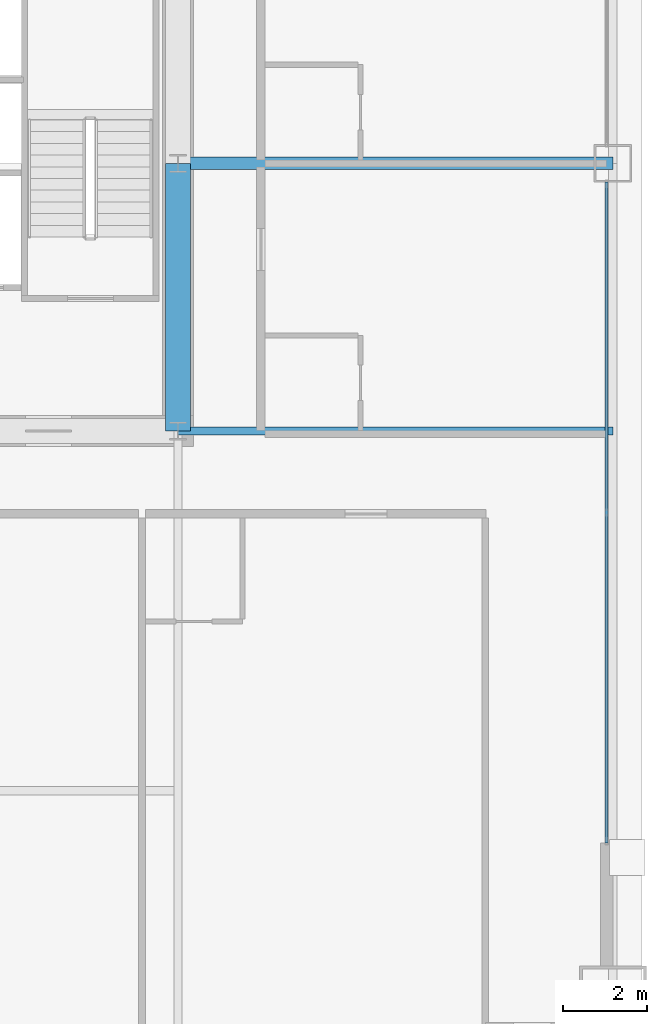
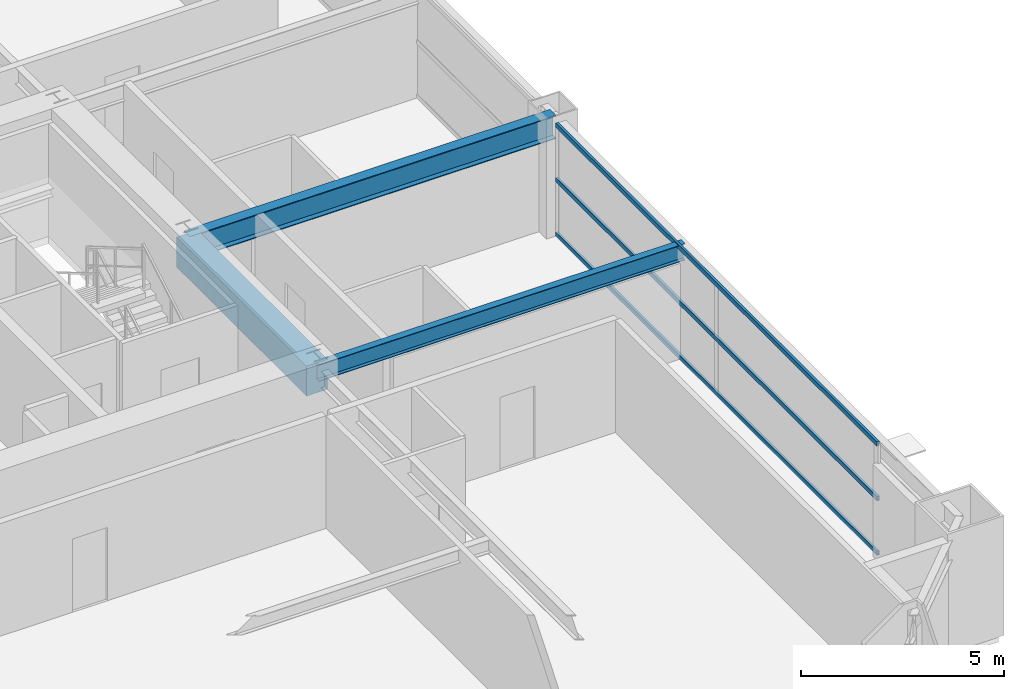
# One storey, part 18 of 38: 3 beams, 3 members, 1 element without a shape of its own.
"""IFC4 building model written with IfcOpenShell, lengths in metres."""

from ifc_helpers import new_model, si_unit, direction, frame, origin, origin_2d, place, context, subcontext, project, spatial, rectangle, hollow_rectangle, i_section, extrude, source, transform, mapped, material, layer, layer_set, material_profile, profile_set, type_object, element, aggregate, save


model = new_model("IFC4")

# Units and contexts
model_context = context("Model", 3, precision=1e-05, world=origin(), true_north=direction((0.0, 1.0)))
body_context = subcontext(model_context, "Body", "Model", "MODEL_VIEW")
ifc_project = project(units=[si_unit("LENGTHUNIT", "METRE"), si_unit("AREAUNIT", "SQUARE_METRE"), si_unit("VOLUMEUNIT", "CUBIC_METRE"), si_unit("PLANEANGLEUNIT", "RADIAN"), si_unit("MASSUNIT", "GRAM", prefix="KILO"), si_unit("THERMODYNAMICTEMPERATUREUNIT", "KELVIN"), si_unit("POWERUNIT", "WATT")], contexts=[model_context])

# Site, building, storey
site_placement = place(None, origin())
site = spatial("IfcSite", under=ifc_project, at=site_placement, CompositionType="ELEMENT")
building_placement = place(site_placement, origin())
building = spatial("IfcBuilding", under=site, at=building_placement, Name="Yuzanri Waterfront Tower", CompositionType="ELEMENT")
storey_placement = place(building_placement, frame((0.0, 0.0, 111.800048828125)))
storey = spatial("IfcBuildingStorey", under=building, at=storey_placement, Name="L29", CompositionType="ELEMENT", Elevation=111.800048828125)

# Beams
ifc_material_1 = material(Name="Concrete C60", Category="concrete")
ifc_material_profile_1 = material_profile(ifc_material_1, rectangle(XDim=0.60009765625, YDim=0.89990234375, at=origin_2d()), Name="RC 600x900")
ifc_profile_set_1 = profile_set([ifc_material_profile_1], Name="Concrete C60")
beam_type_1 = type_object("IfcBeamType", Name="Core Coupling Lintel Concrete C60 600x900", PredefinedType="LINTEL", material=ifc_profile_set_1)
shared_shape_1 = source(origin(), body_context, "Body", "SweptSolid", [
    extrude(rectangle(XDim=0.60009765625, YDim=0.89990234375, at=origin_2d()), origin(), (0.0, 0.0, 1.0), 6.400146484375),
])
beam_1_placement = place(storey_placement, frame((50.199951171875, 19.39990234375, 2.929931640625), z_axis=(0.0, 1.0, 0.0), x_axis=(-1.0, 0.0, 0.0)))
element("IfcBeam", 1, at=beam_1_placement, inside=storey, type_object=beam_type_1, Name="L29 Core Tie Beam CE1", PredefinedType="LINTEL", context=body_context, shape_type="MappedRepresentation", body=[
    mapped(shared_shape_1, transform((0.0, 0.0, 0.0), scale=1.0)),
])
ifc_material_2 = material(Name="Steel Q355B", Category="steel")
ifc_material_profile_2 = material_profile(ifc_material_2, i_section(OverallWidth=0.300048828125, OverallDepth=0.699951171875, WebThickness=0.012939453125, FlangeThickness=0.02392578125, at=origin_2d()), Name="HN 700x300x13x24")
ifc_profile_set_2 = profile_set([ifc_material_profile_2], Name="Steel Q355B")
beam_type_2 = type_object("IfcBeamType", Name="Primary Floor Girder Q355B HN 700x300", PredefinedType="BEAM", material=ifc_profile_set_2)
shared_shape_2 = source(origin(), body_context, "Body", "SweptSolid", [
    extrude(i_section(OverallWidth=0.300048828125, OverallDepth=0.699951171875, WebThickness=0.012939453125, FlangeThickness=0.02392578125, at=origin_2d()), origin(), (0.0, 0.0, 1.0), 10.400146484375),
])
beam_2_placement = place(storey_placement, frame((50.199951171875, 25.800048828125, 3.030029296875), z_axis=(1.0, 0.0, 0.0), x_axis=(0.0, 1.0, 0.0)))
element("IfcBeam", 2, at=beam_2_placement, inside=storey, type_object=beam_type_2, Name="L29 East Grid Girder", PredefinedType="BEAM", context=body_context, shape_type="MappedRepresentation", body=[
    mapped(shared_shape_2, transform((0.0, 0.0, 0.0), scale=1.0)),
])
ifc_material_3 = material(Name="Steel Q355B", Category="steel")
ifc_material_profile_3 = material_profile(ifc_material_3, i_section(OverallWidth=0.199951171875, OverallDepth=0.5, WebThickness=0.010009765625, FlangeThickness=0.01611328125, at=origin_2d()), Name="HN 500x200x10x16")
ifc_profile_set_3 = profile_set([ifc_material_profile_3], Name="Steel Q355B")
beam_type_3 = type_object("IfcBeamType", Name="Secondary Floor Beam Q355B HN 500x200", PredefinedType="BEAM", material=ifc_profile_set_3)
shared_shape_3 = source(origin(), body_context, "Body", "SweptSolid", [
    extrude(i_section(OverallWidth=0.199951171875, OverallDepth=0.5, WebThickness=0.010009765625, FlangeThickness=0.01611328125, at=origin_2d()), origin(), (0.0, 0.0, 1.0), 10.400146484375),
])
beam_3_placement = place(storey_placement, frame((50.199951171875, 19.39990234375, 3.1298828125), z_axis=(1.0, 0.0, 0.0), x_axis=(0.0, 1.0, 0.0)))
element("IfcBeam", 3, at=beam_3_placement, inside=storey, type_object=beam_type_3, Name="L29 East-South Core Line Beam", PredefinedType="BEAM", context=body_context, shape_type="MappedRepresentation", body=[
    mapped(shared_shape_3, transform((0.0, 0.0, 0.0), scale=1.0)),
])

# Curtain wall, members
ifc_material_4 = material(Name="Anodized Architectural Bronze", Category="metal")
ifc_layer = layer(ifc_material_4, 0.159912109375)
ifc_layer_set = layer_set([ifc_layer], Name="Anodized Architectural Bronze")
curtain_wall_type = type_object("IfcCurtainWallType", Name="Anodized Bronze Hotel Upper-Tier Solar-Control Unitized Curtain Wall 7800", PredefinedType="NOTDEFINED", material=ifc_layer_set)
curtain_wall_placement = place(storey_placement, origin())
curtain_wall = element("IfcCurtainWall", 4, at=curtain_wall_placement, inside=storey, type_object=curtain_wall_type, Name="L29 Curtain Wall CW-L29-EL", PredefinedType="NOTDEFINED")
ifc_material_5 = material(Name="Anodized Architectural Bronze", Category="metal")
ifc_material_profile_4 = material_profile(ifc_material_5, hollow_rectangle(XDim=0.070068359375, YDim=0.135009765625, WallThickness=0.00341796875, at=origin_2d()), Name="CWT 70x135")
ifc_profile_set_4 = profile_set([ifc_material_profile_4], Name="Anodized Architectural Bronze")
member_type = type_object("IfcMemberType", Name="Anodized Bronze Standard Curtain-Wall Transom 70x135", PredefinedType="USERDEFINED", material=ifc_profile_set_4)
shared_shape_4 = source(origin(), body_context, "Body", "SweptSolid", [
    extrude(hollow_rectangle(XDim=0.070068359375, YDim=0.135009765625, WallThickness=0.00341796875, at=origin_2d()), origin(), (0.0, 0.0, 1.0), 15.800048828125),
])
member_1_placement = place(storey_placement, frame((60.449951171875, 9.550048828125, 0.050048828125), z_axis=(0.0, 1.0, 0.0), x_axis=(-1.0, 0.0, 0.0)))
member_1 = element("IfcMember", 5, at=member_1_placement, type_object=member_type, Name="CW-L29-EL Transom 1", ObjectType="TRANSOM", PredefinedType="USERDEFINED", context=body_context, shape_type="MappedRepresentation", body=[
    mapped(shared_shape_4, transform((0.0, 0.0, 0.0), scale=1.0)),
])
member_2_placement = place(storey_placement, frame((60.449951171875, 9.550048828125, 1.68994140625), z_axis=(0.0, 1.0, 0.0), x_axis=(-1.0, 0.0, 0.0)))
member_2 = element("IfcMember", 6, at=member_2_placement, type_object=member_type, Name="CW-L29-EL Transom 2", ObjectType="TRANSOM", PredefinedType="USERDEFINED", context=body_context, shape_type="MappedRepresentation", body=[
    mapped(shared_shape_4, transform((0.0, 0.0, 0.0), scale=1.0)),
])
member_3_placement = place(storey_placement, frame((60.449951171875, 9.550048828125, 3.329833984375), z_axis=(0.0, 1.0, 0.0), x_axis=(-1.0, 0.0, 0.0)))
member_3 = element("IfcMember", 7, at=member_3_placement, type_object=member_type, Name="CW-L29-EL Transom 3", ObjectType="TRANSOM", PredefinedType="USERDEFINED", context=body_context, shape_type="MappedRepresentation", body=[
    mapped(shared_shape_4, transform((0.0, 0.0, 0.0), scale=1.0)),
])
aggregate(curtain_wall, [member_1, member_2, member_3])

save(model, "model.ifc")
